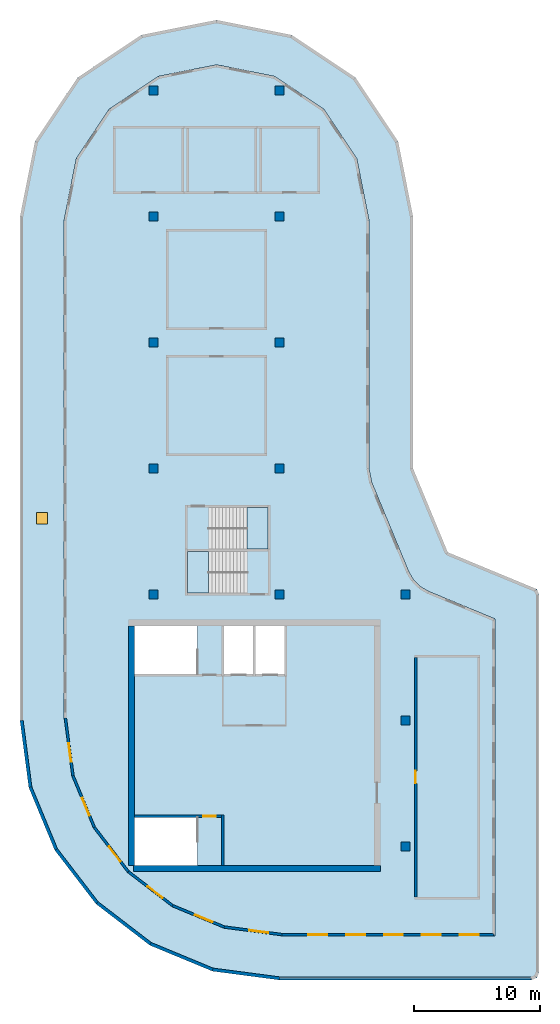
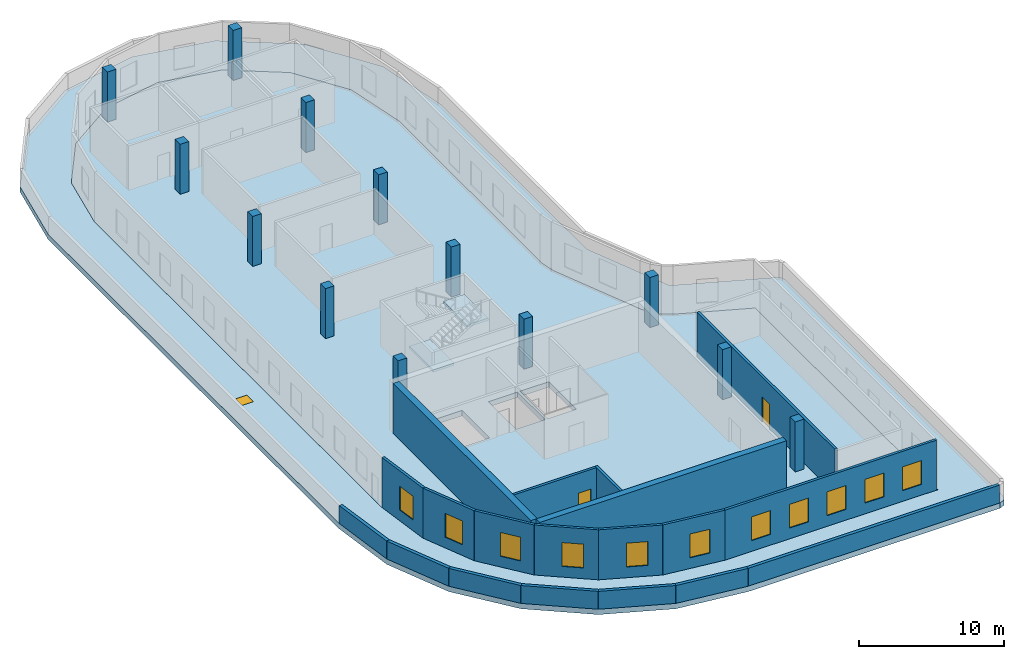
# One storey, part 1 of 6: 19 walls, 13 columns, 11 windows, 4 slabs, 3 doors, 14 openings, 2 elements without a shape of their own.
"""IFC4 building model written with IfcOpenShell, lengths in metres."""

import ifcopenshell
import ifcopenshell.guid

model = None  # the IFC model being written
_history = None  # IfcOwnerHistory: only IFC2X3 demands one
_inside = {}  # id of a spatial element -> (the spatial element, [elements in it])
_under = {}  # id of a project, library or spatial element -> (it, [spatial elements below it])
_declared = {}  # id of a project -> (the project, [libraries it declares])
_typed = {}  # id of a type object -> (the type object, [elements of that type])
_made_of = {}  # id of a material, layer set ... -> (it, [elements and type objects made of it])


def new_model(schema):
    """Start an empty IFC model of exactly this schema.

    Asked for "IFC4X3", IfcOpenShell would pick the latest addendum, in which some entities
    have other attributes; the version numbers below select the first issue.
    IFC2X3 requires an IfcOwnerHistory on every rooted entity: one is made here for all.
    """
    global model, _history
    if schema == "IFC4X3":
        model = ifcopenshell.file(schema_version=(4, 3, 0, 0))
    else:
        model = ifcopenshell.file(schema=schema)
    _inside.clear()
    _under.clear()
    _declared.clear()
    _typed.clear()
    _made_of.clear()
    _history = None
    if model.schema == "IFC2X3":
        org = make("IfcOrganization", Name="unknown")
        user = make(
            "IfcPersonAndOrganization",
            ThePerson=make("IfcPerson", FamilyName="unknown"),
            TheOrganization=org,
        )
        app = make(
            "IfcApplication",
            ApplicationDeveloper=org,
            Version="unknown",
            ApplicationFullName="unknown",
            ApplicationIdentifier="unknown",
        )
        _history = make(
            "IfcOwnerHistory",
            OwningUser=user,
            OwningApplication=app,
            ChangeAction="ADDED",
            CreationDate=0,
        )
    return model


def make(cls, **values):
    """One entity of the class cls with the attributes given. An attribute that is None is left unset."""
    return model.create_entity(
        cls, **{name: value for name, value in values.items() if value is not None}
    )


def rooted(cls, **values):
    """An entity with a GlobalId (a new one), such as an element, a storey or a relation."""
    return make(cls, GlobalId=ifcopenshell.guid.new(), OwnerHistory=_history, **values)


def si_unit(unit_type, name, prefix=None):
    """IfcSIUnit, for example si_unit("LENGTHUNIT", "METRE", prefix="MILLI")."""
    return make("IfcSIUnit", UnitType=unit_type, Prefix=prefix, Name=name)


def assignment(units):
    """IfcUnitAssignment: the units of a project."""
    return None if units is None else make("IfcUnitAssignment", Units=units)


def point(xyz):
    """IfcCartesianPoint."""
    return None if xyz is None else make("IfcCartesianPoint", Coordinates=xyz)


def direction(xyz):
    """IfcDirection."""
    return None if xyz is None else make("IfcDirection", DirectionRatios=xyz)


def frame(location, z_axis=None, x_axis=None):
    """IfcAxis2Placement3D, a coordinate frame: its origin and axes. An axis left out is left unset."""
    return make(
        "IfcAxis2Placement3D",
        Location=point(location),
        Axis=direction(z_axis),
        RefDirection=direction(x_axis),
    )


def frame_2d(location, x_axis=None):
    """IfcAxis2Placement2D, a coordinate frame in the plane: its origin and x axis."""
    return make(
        "IfcAxis2Placement2D", Location=point(location), RefDirection=direction(x_axis)
    )


def origin():
    """The frame at (0, 0, 0) with its axes left unset."""
    return frame((0.0, 0.0, 0.0))


def origin_2d():
    """The frame at (0, 0) in the plane with its x axis left unset."""
    return frame_2d((0.0, 0.0))


def place(relative_to, where):
    """IfcLocalPlacement: puts the frame where relative to a parent placement (None: the world)."""
    return make(
        "IfcLocalPlacement", PlacementRelTo=relative_to, RelativePlacement=where
    )


def context(
    kind, dimensions, precision=None, world=None, true_north=None, identifier=None
):
    """IfcGeometricRepresentationContext, for example the 3D "Model" context."""
    return make(
        "IfcGeometricRepresentationContext",
        ContextIdentifier=identifier,
        ContextType=kind,
        CoordinateSpaceDimension=dimensions,
        Precision=precision,
        WorldCoordinateSystem=world,
        TrueNorth=true_north,
    )


def subcontext(parent, identifier, kind, view, scale=None):
    """IfcGeometricRepresentationSubContext, for example "Body" below "Model"."""
    return make(
        "IfcGeometricRepresentationSubContext",
        ContextIdentifier=identifier,
        ContextType=kind,
        ParentContext=parent,
        TargetScale=scale,
        TargetView=view,
    )


def project(units=None, contexts=None):
    """IfcProject with its units and contexts."""
    return rooted(
        "IfcProject",
        Name="project",
        RepresentationContexts=contexts,
        UnitsInContext=assignment(units),
    )


def spatial(cls, under=None, at=None, **own):
    """A site, building, storey or space (cls), placed at a placement, below another one or the project."""
    s = rooted(cls, ObjectPlacement=at, **own)
    if under is not None:
        _under.setdefault(under.id(), (under, []))[1].append(s)
    return s


def polyline(points):
    """IfcPolyline through the points."""
    return make("IfcPolyline", Points=[point(p) for p in points])


def profile(cls, at=None, kind="AREA", **sizes):
    """A parametric profile (cls). Its sizes go by their IFC names, for example OverallWidth=200.0."""
    return make(cls, ProfileType=kind, Position=at, **sizes)


def rectangle(**sizes):
    """IfcRectangleProfileDef."""
    return profile("IfcRectangleProfileDef", **sizes)


def outline(outer, holes=None, kind="AREA"):
    """IfcArbitraryClosedProfileDef: a profile drawn as a closed curve; with holes, ...WithVoids."""
    if holes is None:
        return make("IfcArbitraryClosedProfileDef", ProfileType=kind, OuterCurve=outer)
    return make(
        "IfcArbitraryProfileDefWithVoids",
        ProfileType=kind,
        OuterCurve=outer,
        InnerCurves=holes,
    )


def extrude(swept, where, along, depth):
    """IfcExtrudedAreaSolid: the profile swept, set in the frame where, extruded along a direction by depth."""
    return make(
        "IfcExtrudedAreaSolid",
        SweptArea=swept,
        Position=where,
        ExtrudedDirection=direction(along),
        Depth=depth,
    )


def shape(context_of_items, identifier, shape_type, items):
    """IfcShapeRepresentation: the items that make up one representation, for example the "Body"."""
    return make(
        "IfcShapeRepresentation",
        ContextOfItems=context_of_items,
        RepresentationIdentifier=identifier,
        RepresentationType=shape_type,
        Items=items,
    )


def material(Name=None, Category=None):
    """IfcMaterial."""
    return make("IfcMaterial", Name=Name, Category=Category)


def layer(
    of_material, thickness, ventilated=None, Name=None, Category=None, Priority=None
):
    """IfcMaterialLayer: one layer of a wall or slab, of a material (None: an air gap)."""
    return make(
        "IfcMaterialLayer",
        Material=of_material,
        LayerThickness=thickness,
        IsVentilated=ventilated,
        Name=Name,
        Category=Category,
        Priority=Priority,
    )


def layer_set(layers, Name=None):
    """IfcMaterialLayerSet."""
    return make("IfcMaterialLayerSet", MaterialLayers=layers, LayerSetName=Name)


def material_profile(
    of_material, cross_section, Name=None, Category=None, Priority=None
):
    """IfcMaterialProfile: a cross section and its material."""
    return make(
        "IfcMaterialProfile",
        Name=Name,
        Material=of_material,
        Profile=cross_section,
        Priority=Priority,
        Category=Category,
    )


def profile_set(profiles, Name=None, composite=None):
    """IfcMaterialProfileSet."""
    return make(
        "IfcMaterialProfileSet",
        Name=Name,
        MaterialProfiles=profiles,
        CompositeProfile=composite,
    )


def made_of(thing, what):
    """Note that an element or type object is made of a material, layer set ...; save() writes the relation."""
    if what is not None:
        _made_of.setdefault(what.id(), (what, []))[1].append(thing)
    return thing


def type_object(cls, material=None, **own):
    """A type object (cls), such as IfcWallType, which elements share."""
    return made_of(rooted(cls, **own), material)


def element(
    cls,
    number,
    at=None,
    inside=None,
    cuts=None,
    type_object=None,
    material=None,
    context=None,
    identifier="Body",
    shape_type=None,
    held_by="IfcProductDefinitionShape",
    body=None,
    shapes=None,
    **own,
):
    """One element of the class cls, such as IfcWall. Its Tag is "e" and its number.

    at: its placement. inside: the storey or other place that contains it. cuts: it is an
    opening in that element (IfcRelVoidsElement). A single representation is given by context,
    identifier, shape_type and body (its items); several are given by shapes. held_by: the class
    of the entity that holds the representations. save() writes the other relations.
    """
    e = rooted(cls, Tag="e%d" % number, ObjectPlacement=at, **own)
    if body is not None:
        shapes = [shape(context, identifier, shape_type, body)]
    if shapes is not None:
        e.Representation = make(held_by, Representations=shapes)
    if inside is not None:
        _inside.setdefault(inside.id(), (inside, []))[1].append(e)
    if cuts is not None:
        rooted(
            "IfcRelVoidsElement", RelatingBuildingElement=cuts, RelatedOpeningElement=e
        )
    if type_object is not None:
        _typed.setdefault(type_object.id(), (type_object, []))[1].append(e)
    return made_of(e, material)


def fill(opening, filler):
    """IfcRelFillsElement: the door or window that sits in an opening."""
    return rooted(
        "IfcRelFillsElement",
        RelatingOpeningElement=opening,
        RelatedBuildingElement=filler,
    )


def aggregate(whole, parts):
    """IfcRelAggregates: a whole, such as a stair, and the parts it consists of."""
    return rooted("IfcRelAggregates", RelatingObject=whole, RelatedObjects=parts)


def save(model, path):
    """Write the relations noted so far, then the file.

    IfcRelAggregates (storeys below a building ...), IfcRelContainedInSpatialStructure (elements
    in a storey), IfcRelDefinesByType, IfcRelAssociatesMaterial and IfcRelDeclares: one each for
    every whole, place, type object, material and project.
    """
    for whole, parts in _under.values():
        aggregate(whole, parts)
    for where, things in _inside.values():
        rooted(
            "IfcRelContainedInSpatialStructure",
            RelatedElements=things,
            RelatingStructure=where,
        )
    for kind, things in _typed.values():
        rooted("IfcRelDefinesByType", RelatedObjects=things, RelatingType=kind)
    for what, things in _made_of.values():
        rooted("IfcRelAssociatesMaterial", RelatedObjects=things, RelatingMaterial=what)
    for by, libraries in _declared.values():
        rooted("IfcRelDeclares", RelatingContext=by, RelatedDefinitions=libraries)
    model.write(path)


model = new_model("IFC4")

# Units and contexts
model_context = context("Model", 3, precision=1e-05, world=origin(), true_north=direction((0.0, 1.0)))
body_context = subcontext(model_context, "Body", "Model", "MODEL_VIEW")
ifc_project = project(units=[si_unit("LENGTHUNIT", "METRE"), si_unit("AREAUNIT", "SQUARE_METRE"), si_unit("VOLUMEUNIT", "CUBIC_METRE"), si_unit("PLANEANGLEUNIT", "RADIAN"), si_unit("MASSUNIT", "GRAM", prefix="KILO")], contexts=[model_context])

# Site, building, storey
site_placement = place(None, origin())
site = spatial("IfcSite", under=ifc_project, at=site_placement, CompositionType="ELEMENT")
building_placement = place(site_placement, origin())
building = spatial("IfcBuilding", under=site, at=building_placement, Name="Qaws Garden Tower", CompositionType="ELEMENT")
storey_placement = place(building_placement, frame((0.0, 0.0, 365.39990234375)))
storey = spatial("IfcBuildingStorey", under=building, at=storey_placement, Name="C1", CompositionType="ELEMENT", Elevation=365.39990234375)

# Columns
ifc_material_1 = material(Name="Concrete C60", Category="concrete")
ifc_material_profile = material_profile(ifc_material_1, rectangle(XDim=0.699951171875, YDim=0.699951171875, at=origin_2d()), Name="RC 700x700")
ifc_profile_set = profile_set([ifc_material_profile], Name="Concrete C60")
column_type = type_object("IfcColumnType", Name="Column RC 700x700 C60", PredefinedType="COLUMN", material=ifc_profile_set)
for number, where, z_axis, x_axis, name in (
    (1, (10.0, 30.0, 0.0), (0.0, 0.0, 1.0), (1.0, 0.0, 0.0), "Column C1-001"),
    (2, (10.0, 40.0, 0.0), (0.0, 0.0, 1.0), (1.0, 0.0, 0.0), "Column C1-002"),
    (3, (10.0, 50.0, 0.0), (0.0, 0.0, 1.0), (1.0, 0.0, 0.0), "Column C1-003"),
    (4, (10.0, 60.0, 0.0), (0.0, 0.0, 1.0), (1.0, 0.0, 0.0), "Column C1-004"),
    (5, (10.0, 70.0, 0.0), (0.0, 0.0, 1.0), (1.0, 0.0, 0.0), "Column C1-005"),
    (6, (20.0, 30.0, 0.0), (0.0, 0.0, 1.0), (1.0, 0.0, 0.0), "Column C1-006"),
    (7, (20.0, 40.0, 0.0), (0.0, 0.0, 1.0), (1.0, 0.0, 0.0), "Column C1-007"),
    (8, (20.0, 50.0, 0.0), (0.0, 0.0, 1.0), (1.0, 0.0, 0.0), "Column C1-008"),
    (9, (20.0, 60.0, 0.0), (0.0, 0.0, 1.0), (1.0, 0.0, 0.0), "Column C1-009"),
    (10, (20.0, 70.0, 0.0), (0.0, 0.0, 1.0), (1.0, 0.0, 0.0), "Column C1-010"),
    (11, (30.0, 10.0, 0.0), (0.0, 0.0, 1.0), (1.0, 0.0, 0.0), "Column C1-011"),
    (12, (30.0, 20.0, 0.0), (0.0, 0.0, 1.0), (1.0, 0.0, 0.0), "Column C1-012"),
    (13, (30.0, 30.0, 0.0), (0.0, 0.0, 1.0), (1.0, 0.0, 0.0), "Column C1-013"),
):
    element("IfcColumn", number, at=place(storey_placement, frame(where, z_axis=z_axis, x_axis=x_axis)), inside=storey, type_object=column_type, Name=name, PredefinedType="COLUMN", context=body_context, shape_type="SweptSolid", body=[
        extrude(rectangle(XDim=0.699951171875, YDim=0.699951171875, at=origin_2d()), origin(), (0.0, 0.0, 1.0), 4.2001953125),
    ])

# Slab
ifc_material_2 = material(Name="Concrete C45", Category="concrete")
ifc_layer_1 = layer(ifc_material_2, 0.449951171875)
ifc_layer_set_1 = layer_set([ifc_layer_1], Name="Concrete C45")
slab_type_1 = type_object("IfcSlabType", Name="Floor slab 450 C45", PredefinedType="FLOOR", material=ifc_layer_set_1)
placement_1 = place(storey_placement, frame((0.0, 0.0, -0.449951171875)))
element("IfcSlab", 14, at=placement_1, inside=storey, type_object=slab_type_1, Name="Floor slab C1", PredefinedType="FLOOR", context=body_context, shape_type="SweptSolid", body=[
    extrude(outline(polyline([(15.580810546875, 3.5068359375), (11.46240234375, 5.212646484375), (7.92626953125, 7.92626953125), (5.212646484375, 11.46240234375), (3.5068359375, 15.580810546875), (2.89990234375, 20.190185546875), (2.89990234375, 59.71435546875), (3.87353515625, 64.608642578125), (6.484130859375, 68.515869140625), (10.391357421875, 71.12646484375), (15.0, 72.043212890625), (19.608642578125, 71.12646484375), (23.515869140625, 68.515869140625), (26.12646484375, 64.608642578125), (27.10009765625, 59.71435546875), (27.10009765625, 40.0), (27.32080078125, 38.89013671875), (30.249755859375, 31.819091796875), (30.628173828125, 31.16357421875), (31.16357421875, 30.628173828125), (31.819091796875, 30.249755859375), (37.10009765625, 28.062255859375), (37.10009765625, 2.89990234375), (20.190185546875, 2.89990234375), (15.580810546875, 3.5068359375)]), holes=[polyline([(8.5, 8.5), (13.49951171875, 8.5), (13.49951171875, 12.300048828125), (8.5, 12.300048828125), (8.5, 8.5)]), polyline([(8.5, 23.699951171875), (13.49951171875, 23.699951171875), (13.49951171875, 27.5), (8.5, 27.5), (8.5, 23.699951171875)]), polyline([(15.60009765625, 23.699951171875), (17.89990234375, 23.699951171875), (17.89990234375, 27.5), (15.60009765625, 27.5), (15.60009765625, 23.699951171875)]), polyline([(18.10009765625, 23.699951171875), (20.39990234375, 23.699951171875), (20.39990234375, 27.5), (18.10009765625, 27.5), (18.10009765625, 23.699951171875)])]), origin(), (0.0, 0.0, 1.0), 0.449951171875),
])

# Stair, slab
ifc_material_3 = material(Name="Concrete C40", Category="concrete")
stair_type = type_object("IfcStairType", Name="Exit stair 1350", PredefinedType="HALF_TURN_STAIR", material=ifc_material_3)
placement_2 = place(storey_placement, origin())
stair_1 = element("IfcStair", 15, at=placement_2, inside=storey, type_object=stair_type, Name="Stair 1", PredefinedType="HALF_TURN_STAIR")
ifc_material_4 = material(Name="Concrete C40", Category="concrete")
ifc_layer_2 = layer(ifc_material_4, 0.199951171875)
ifc_layer_set_2 = layer_set([ifc_layer_2], Name="Concrete C40")
slab_type_2 = type_object("IfcSlabType", Name="Stair landing 200", PredefinedType="LANDING", material=ifc_layer_set_2)
placement_3 = place(storey_placement, frame((0.0, 0.0, 1.900146484375)))
slab_2 = element("IfcSlab", 16, at=placement_3, type_object=slab_type_2, Name="CS1 landing 1", PredefinedType="LANDING", context=body_context, shape_type="SweptSolid", body=[
    extrude(outline(polyline([(12.699951171875, 30.10009765625), (14.3701171875, 30.10009765625), (14.3701171875, 33.39990234375), (12.699951171875, 33.39990234375), (12.699951171875, 30.10009765625)])), origin(), (0.0, 0.0, 1.0), 0.199951171875),
])
aggregate(stair_1, [slab_2])

stair_2 = element("IfcStair", 17, at=placement_2, inside=storey, type_object=stair_type, Name="Stair 2", PredefinedType="HALF_TURN_STAIR")
slab_3 = element("IfcSlab", 18, at=placement_3, type_object=slab_type_2, Name="CS2 landing 1", PredefinedType="LANDING", context=body_context, shape_type="SweptSolid", body=[
    extrude(outline(polyline([(17.429931640625, 33.60009765625), (19.10009765625, 33.60009765625), (19.10009765625, 36.89990234375), (17.429931640625, 36.89990234375), (17.429931640625, 33.60009765625)])), origin(), (0.0, 0.0, 1.0), 0.199951171875),
])
aggregate(stair_2, [slab_3])

# Slab, opening, door
ifc_material_5 = material(Name="Concrete C45", Category="concrete")
ifc_layer_3 = layer(ifc_material_5, 0.449951171875)
ifc_layer_set_3 = layer_set([ifc_layer_3], Name="Concrete C45")
slab_type_3 = type_object("IfcSlabType", Name="Terrace slab 450 C45", PredefinedType="FLOOR", material=ifc_layer_set_3)
slab_4 = element("IfcSlab", 19, at=placement_1, inside=storey, type_object=slab_type_3, Name="Terrace slab C1", PredefinedType="FLOOR", context=body_context, shape_type="SweptSolid", body=[
    extrude(outline(polyline([(0.101806640625, 14.668212890625), (-0.60009765625, 20.0), (-0.60009765625, 30.60009765625), (-0.60009765625, 60.0), (-0.60009765625, 60.0), (0.58740234375, 65.969970703125), (3.968994140625, 71.031005859375), (9.030029296875, 74.41259765625), (15.0, 75.60009765625), (20.969970703125, 74.41259765625), (26.031005859375, 71.031005859375), (29.41259765625, 65.969970703125), (30.60009765625, 60.0), (30.60009765625, 40.0), (33.353271484375, 33.353271484375), (40.0, 30.60009765625), (40.42431640625, 30.42431640625), (40.60009765625, 30.0), (40.60009765625, 0.0), (40.42431640625, -0.42431640625), (40.0, -0.60009765625), (30.60009765625, -0.60009765625), (20.0, -0.60009765625), (14.668212890625, 0.101806640625), (9.699951171875, 2.159912109375), (5.43359375, 5.43359375), (2.159912109375, 9.699951171875), (0.101806640625, 14.668212890625)]), holes=[polyline([(37.10009765625, 2.89990234375), (37.10009765625, 28.062255859375), (31.819091796875, 30.249755859375), (31.16357421875, 30.628173828125), (30.628173828125, 31.16357421875), (30.249755859375, 31.819091796875), (27.32080078125, 38.89013671875), (27.10009765625, 40.0), (27.10009765625, 59.71435546875), (26.12646484375, 64.608642578125), (23.515869140625, 68.515869140625), (19.608642578125, 71.12646484375), (15.0, 72.043212890625), (10.391357421875, 71.12646484375), (6.484130859375, 68.515869140625), (3.87353515625, 64.608642578125), (2.89990234375, 59.71435546875), (2.89990234375, 20.190185546875), (3.5068359375, 15.580810546875), (5.212646484375, 11.46240234375), (7.92626953125, 7.92626953125), (11.46240234375, 5.212646484375), (15.580810546875, 3.5068359375), (20.190185546875, 2.89990234375), (37.10009765625, 2.89990234375)])]), origin(), (0.0, 0.0, 1.0), 0.449951171875),
])
opening_1_placement = place(placement_1, frame((1.14990234375, 36.052978515625, 0.0)))
opening_1 = element("IfcOpeningElement", 20, at=opening_1_placement, cuts=slab_4, Name="Opening PD10-01", PredefinedType="OPENING", context=body_context, shape_type="SweptSolid", body=[
    extrude(rectangle(XDim=0.89990234375, YDim=0.89990234375, at=origin_2d()), origin(), (0.0, 0.0, 1.0), 0.449951171875),
])
ifc_material_6 = material(Name="Aluminium hatch", Category="aluminium")
door_type_1 = type_object("IfcDoorType", Name="Roof hatch 900 x 900", OperationType="SINGLE_SWING_LEFT", PredefinedType="TRAPDOOR", material=ifc_material_6)
door_1_placement = place(opening_1_placement, frame((0.0, 0.0, 0.39990234375)))
door_1 = element("IfcDoor", 21, at=door_1_placement, inside=storey, type_object=door_type_1, Name="Maintenance terrace hatch", OperationType="SINGLE_SWING_LEFT", OverallHeight=0.89990234375, OverallWidth=0.89990234375, PredefinedType="TRAPDOOR", context=body_context, shape_type="SweptSolid", body=[
    extrude(rectangle(XDim=0.89990234375, YDim=0.89990234375, at=origin_2d()), origin(), (0.0, 0.0, 1.0), 0.050048828125),
])
fill(opening_1, door_1)

# Wall
ifc_material_7 = material(Name="Concrete C60", Category="concrete")
ifc_layer_4 = layer(ifc_material_7, 0.199951171875)
ifc_layer_set_4 = layer_set([ifc_layer_4], Name="Concrete C60")
wall_type_1 = type_object("IfcWallType", Name="Core shaft wall 200 C60", PredefinedType="SHEAR", material=ifc_layer_set_4)
wall_1_placement = place(storey_placement, frame((15.5, 8.5, 0.0), z_axis=(0.0, 0.0, 1.0), x_axis=(0.0, 1.0, 0.0)))
element("IfcWall", 22, at=wall_1_placement, inside=storey, type_object=wall_type_1, Name="Stair 1 wall", PredefinedType="SHEAR", context=body_context, shape_type="SweptSolid", body=[
    extrude(rectangle(XDim=4.0, YDim=0.199951171875, at=frame_2d((2.0, 0.0))), origin(), (0.0, 0.0, 1.0), 3.75),
])

# Wall, opening, door
wall_2_placement = place(storey_placement, frame((8.5, 12.39990234375, 0.0), z_axis=(0.0, 0.0, 1.0), x_axis=(1.0, 0.0, 0.0)))
wall_2 = element("IfcWall", 23, at=wall_2_placement, inside=storey, type_object=wall_type_1, Name="Stair 1 wall", PredefinedType="SHEAR", context=body_context, shape_type="SweptSolid", body=[
    extrude(rectangle(XDim=6.89990234375, YDim=0.199951171875, at=frame_2d((3.449951171875, 0.0))), origin(), (0.0, 0.0, 1.0), 3.75),
])
opening_2_placement = place(wall_2_placement, frame((5.449951171875, 0.0, 0.0)))
opening_2 = element("IfcOpeningElement", 24, at=opening_2_placement, cuts=wall_2, Name="Opening C1015", PredefinedType="OPENING", context=body_context, shape_type="SweptSolid", body=[
    extrude(rectangle(XDim=1.0, YDim=2.10009765625, at=frame_2d((0.5, 1.050048828125))), frame((0.0, 0.10986328125, 0.0), z_axis=(0.0, -1.0, 0.0), x_axis=(1.0, 0.0, 0.0)), (0.0, 0.0, 1.0), 0.219970703125),
])
ifc_material_8 = material(Name="Steel S235", Category="steel")
door_type_2 = type_object("IfcDoorType", Name="Stair door 1000x2100", OperationType="SINGLE_SWING_RIGHT", PredefinedType="DOOR", material=ifc_material_8)
door_2_placement = place(opening_2_placement, frame((1.0, 0.0, 0.0), z_axis=(0.0, 0.0, 1.0), x_axis=(-1.0, 0.0, 0.0)))
door_2 = element("IfcDoor", 25, at=door_2_placement, inside=storey, type_object=door_type_2, Name="Stair 1 door", OperationType="SINGLE_SWING_LEFT", OverallHeight=2.10009765625, OverallWidth=1.0, PredefinedType="DOOR", context=body_context, shape_type="SweptSolid", body=[
    extrude(rectangle(XDim=1.0, YDim=2.10009765625, at=frame_2d((0.5, 1.050048828125))), frame((0.0, 0.02490234375, 0.0), z_axis=(0.0, -1.0, 0.0), x_axis=(1.0, 0.0, 0.0)), (0.0, 0.0, 1.0), 0.050048828125),
])
fill(opening_2, door_2)

# Walls
ifc_material_9 = material(Name="Concrete C60", Category="concrete")
ifc_layer_5 = layer(ifc_material_9, 0.5)
ifc_layer_set_5 = layer_set([ifc_layer_5], Name="Concrete C60")
wall_type_2 = type_object("IfcWallType", Name="Core wall 500 C60", PredefinedType="SHEAR", material=ifc_layer_set_5)
wall_3_placement = place(storey_placement, frame((8.40771484375, 8.25, 0.0), z_axis=(0.0, 0.0, 1.0), x_axis=(1.0, 0.0, 0.0)))
element("IfcWall", 26, at=wall_3_placement, inside=storey, type_object=wall_type_2, Name="Core wall C1 south", PredefinedType="SHEAR", context=body_context, shape_type="SweptSolid", body=[
    extrude(rectangle(XDim=19.59228515625, YDim=0.5, at=frame_2d((9.796142578125, 0.0))), origin(), (0.0, 0.0, 1.0), 4.2001953125),
])
wall_4_placement = place(storey_placement, frame((8.25, 27.5, 0.0), z_axis=(0.0, 0.0, 1.0), x_axis=(0.0, -1.0, 0.0)))
element("IfcWall", 27, at=wall_4_placement, inside=storey, type_object=wall_type_2, Name="Core wall C1 west", PredefinedType="SHEAR", context=body_context, shape_type="SweptSolid", body=[
    extrude(rectangle(XDim=19.0, YDim=0.5, at=frame_2d((9.5, 0.0))), origin(), (0.0, 0.0, 1.0), 4.2001953125),
])
ifc_material_10 = material(Name="Brick masonry", Category="masonry")
ifc_layer_6 = layer(ifc_material_10, 0.25)
ifc_layer_set_6 = layer_set([ifc_layer_6], Name="Brick masonry")
wall_type_3 = type_object("IfcWallType", Name="Parapet 250", PredefinedType="PARAPET", material=ifc_layer_set_6)
wall_5_placement = place(storey_placement, frame((39.97509765625, -0.47509765625, 0.0), z_axis=(0.0, 0.0, 1.0), x_axis=(-1.0, 0.0, 0.0)))
element("IfcWall", 28, at=wall_5_placement, inside=storey, type_object=wall_type_3, Name="Maintenance terrace parapet C1", PredefinedType="PARAPET", context=body_context, shape_type="SweptSolid", body=[
    extrude(rectangle(XDim=19.966796875, YDim=0.25, at=frame_2d((9.9833984375, 0.0))), origin(), (0.0, 0.0, 1.0), 1.5),
])
wall_6_placement = place(storey_placement, frame((20.00830078125, -0.47509765625, 0.0), z_axis=(0.0, 0.0, 1.0), x_axis=(-0.991444823867, 0.130526477111, 0.0)))
element("IfcWall", 29, at=wall_6_placement, inside=storey, type_object=wall_type_3, Name="Maintenance terrace parapet C1", PredefinedType="PARAPET", context=body_context, shape_type="SweptSolid", body=[
    extrude(rectangle(XDim=5.353271484375, YDim=0.25, at=frame_2d((2.6767578125, 0.0))), origin(), (0.0, 0.0, 1.0), 1.5),
])
wall_7_placement = place(storey_placement, frame((14.700927734375, 0.2236328125, 0.0), z_axis=(0.0, 0.0, 1.0), x_axis=(-0.923877651285, 0.382687974017, 0.0)))
element("IfcWall", 30, at=wall_7_placement, inside=storey, type_object=wall_type_3, Name="Maintenance terrace parapet C1", PredefinedType="PARAPET", context=body_context, shape_type="SweptSolid", body=[
    extrude(rectangle(XDim=5.344970703125, YDim=0.25, at=frame_2d((2.67236328125, 0.0))), origin(), (0.0, 0.0, 1.0), 1.5),
])
for number, where, z_axis, x_axis, name in (
    (31, (9.762939453125, 2.26904296875, 0.0), (0.0, 0.0, 1.0), (-0.793351909115, 0.608763294149, 0.0), "Maintenance terrace parapet C1"),
    (32, (5.522705078125, 5.522705078125, 0.0), (0.0, 0.0, 1.0), (-0.608763294149, 0.793351909115, 0.0), "Maintenance terrace parapet C1"),
):
    element("IfcWall", number, at=place(storey_placement, frame(where, z_axis=z_axis, x_axis=x_axis)), inside=storey, type_object=wall_type_3, Name=name, PredefinedType="PARAPET", context=body_context, shape_type="SweptSolid", body=[
        extrude(rectangle(XDim=5.3447265625, YDim=0.25, at=frame_2d((2.67236328125, 0.0))), origin(), (0.0, 0.0, 1.0), 1.5),
    ])
wall_8_placement = place(storey_placement, frame((2.26904296875, 9.762939453125, 0.0), z_axis=(0.0, 0.0, 1.0), x_axis=(-0.382687974017, 0.923877651285, 0.0)))
element("IfcWall", 33, at=wall_8_placement, inside=storey, type_object=wall_type_3, Name="Maintenance terrace parapet C1", PredefinedType="PARAPET", context=body_context, shape_type="SweptSolid", body=[
    extrude(rectangle(XDim=5.344970703125, YDim=0.25, at=frame_2d((2.67236328125, 0.0))), origin(), (0.0, 0.0, 1.0), 1.5),
])
wall_9_placement = place(storey_placement, frame((0.2236328125, 14.700927734375, 0.0), z_axis=(0.0, 0.0, 1.0), x_axis=(-0.130526477111, 0.991444823867, 0.0)))
element("IfcWall", 34, at=wall_9_placement, inside=storey, type_object=wall_type_3, Name="Maintenance terrace parapet C1", PredefinedType="PARAPET", context=body_context, shape_type="SweptSolid", body=[
    extrude(rectangle(XDim=5.353271484375, YDim=0.25, at=frame_2d((2.6767578125, 0.0))), origin(), (0.0, 0.0, 1.0), 1.5),
])

# Wall, opening, door
ifc_material_11 = material(Name="Blockwork", Category="masonry")
ifc_layer_7 = layer(ifc_material_11, 0.199951171875)
ifc_layer_set_7 = layer_set([ifc_layer_7], Name="Blockwork")
wall_type_4 = type_object("IfcWallType", Name="Plant room wall 200", PredefinedType="PARTITIONING", material=ifc_layer_set_7)
wall_10_placement = place(storey_placement, frame((30.800048828125, 6.0, 0.0), z_axis=(0.0, 0.0, 1.0), x_axis=(0.0, 1.0, 0.0)))
wall_10 = element("IfcWall", 35, at=wall_10_placement, inside=storey, type_object=wall_type_4, Name="Boiler plant room wall", PredefinedType="PARTITIONING", context=body_context, shape_type="SweptSolid", body=[
    extrude(rectangle(XDim=19.0, YDim=0.199951171875, at=frame_2d((9.5, 0.0))), origin(), (0.0, 0.0, 1.0), 3.75),
])
opening_3_placement = place(wall_10_placement, frame((9.0, 0.0, 0.0)))
opening_3 = element("IfcOpeningElement", 36, at=opening_3_placement, cuts=wall_10, Name="Opening PD12-06", PredefinedType="OPENING", context=body_context, shape_type="SweptSolid", body=[
    extrude(rectangle(XDim=1.0, YDim=2.10009765625, at=frame_2d((0.5, 1.050048828125))), frame((0.0, 0.10986328125, 0.0), z_axis=(0.0, -1.0, 0.0), x_axis=(1.0, 0.0, 0.0)), (0.0, 0.0, 1.0), 0.219970703125),
])
ifc_material_12 = material(Name="Steel S235 framed door leaf", Category="steel")
door_type_3 = type_object("IfcDoorType", Name="Door D12 fire single 1000", OperationType="SINGLE_SWING_LEFT", PredefinedType="DOOR", material=ifc_material_12)
door_3_placement = place(opening_3_placement, frame((1.0, 0.0, 0.0), z_axis=(0.0, 0.0, 1.0), x_axis=(-1.0, 0.0, 0.0)))
door_3 = element("IfcDoor", 37, at=door_3_placement, inside=storey, type_object=door_type_3, Name="Boiler plant room door", OperationType="SINGLE_SWING_LEFT", OverallHeight=2.10009765625, OverallWidth=1.0, PredefinedType="DOOR", context=body_context, shape_type="SweptSolid", body=[
    extrude(rectangle(XDim=1.0, YDim=2.10009765625, at=frame_2d((0.5, 1.050048828125))), frame((0.0, 0.02490234375, 0.0), z_axis=(0.0, -1.0, 0.0), x_axis=(1.0, 0.0, 0.0)), (0.0, 0.0, 1.0), 0.050048828125),
])
fill(opening_3, door_3)

# Wall, opening, window
ifc_material_13 = material(Name="Brick masonry", Category="masonry")
ifc_layer_8 = layer(ifc_material_13, 0.199951171875)
ifc_layer_set_8 = layer_set([ifc_layer_8], Name="Brick masonry")
wall_type_5 = type_object("IfcWallType", Name="Plant screen louvre 200", PredefinedType="STANDARD", material=ifc_layer_set_8)
wall_11_placement = place(storey_placement, frame((20.196533203125, 3.0, 0.0), z_axis=(0.0, 0.0, 1.0), x_axis=(-0.991445318306, 0.130522721426, 0.0)))
wall_11 = element("IfcWall", 38, at=wall_11_placement, inside=storey, type_object=wall_type_5, Name="Plant screen wall C1 1", PredefinedType="STANDARD", context=body_context, shape_type="SweptSolid", body=[
    extrude(rectangle(XDim=4.62939453125, YDim=0.199951171875, at=frame_2d((2.314697265625, 0.0))), origin(), (0.0, 0.0, 1.0), 4.2001953125),
])
opening_4_placement = place(wall_11_placement, frame((1.11474609375, 0.0, 0.89990234375)))
opening_4 = element("IfcOpeningElement", 39, at=opening_4_placement, cuts=wall_11, Name="Opening PW-S4", PredefinedType="OPENING", context=body_context, shape_type="SweptSolid", body=[
    extrude(rectangle(XDim=1.5, YDim=2.0, at=frame_2d((0.75, 1.0))), frame((0.0, 0.10986328125, 0.0), z_axis=(0.0, -1.0, 0.0), x_axis=(1.0, 0.0, 0.0)), (0.0, 0.0, 1.0), 0.219970703125),
])
ifc_material_14 = material(Name="Aluminium louvre", Category="aluminium")
window_type = type_object("IfcWindowType", Name="Plant louvre 1500", PartitioningType="SINGLE_PANEL", PredefinedType="WINDOW", material=ifc_material_14)
window_1_placement = place(opening_4_placement, origin())
window_1 = element("IfcWindow", 40, at=window_1_placement, inside=storey, type_object=window_type, Name="Plant louvre", OverallHeight=2.0, OverallWidth=1.5, PartitioningType="SINGLE_PANEL", PredefinedType="WINDOW", context=body_context, shape_type="SweptSolid", body=[
    extrude(rectangle(XDim=1.5, YDim=2.0, at=frame_2d((0.75, 1.0))), frame((0.0, 0.030029296875, 0.0), z_axis=(0.0, -1.0, 0.0), x_axis=(1.0, 0.0, 0.0)), (0.0, 0.0, 1.0), 0.06005859375),
])
fill(opening_4, window_1)

wall_12_placement = place(storey_placement, frame((15.606689453125, 3.604248046875, 0.0), z_axis=(0.0, 0.0, 1.0), x_axis=(-0.923870435447, 0.382705393882, 0.0)))
wall_12 = element("IfcWall", 41, at=wall_12_placement, inside=storey, type_object=wall_type_5, Name="Plant screen wall C1 2", PredefinedType="STANDARD", context=body_context, shape_type="SweptSolid", body=[
    extrude(rectangle(XDim=4.43115234375, YDim=0.199951171875, at=frame_2d((2.215576171875, 0.0))), origin(), (0.0, 0.0, 1.0), 4.2001953125),
])
opening_5_placement = place(wall_12_placement, frame((1.015625, 0.0, 0.89990234375)))
opening_5 = element("IfcOpeningElement", 42, at=opening_5_placement, cuts=wall_12, Name="Opening PW-S4", PredefinedType="OPENING", context=body_context, shape_type="SweptSolid", body=[
    extrude(rectangle(XDim=1.5, YDim=2.0, at=frame_2d((0.75, 1.0))), frame((0.0, 0.10986328125, 0.0), z_axis=(0.0, -1.0, 0.0), x_axis=(1.0, 0.0, 0.0)), (0.0, 0.0, 1.0), 0.219970703125),
])
window_2_placement = place(opening_5_placement, origin())
window_2 = element("IfcWindow", 43, at=window_2_placement, inside=storey, type_object=window_type, Name="Plant louvre", OverallHeight=2.0, OverallWidth=1.5, PartitioningType="SINGLE_PANEL", PredefinedType="WINDOW", context=body_context, shape_type="SweptSolid", body=[
    extrude(rectangle(XDim=1.5, YDim=2.0, at=frame_2d((0.75, 1.0))), frame((0.0, 0.030029296875, 0.0), z_axis=(0.0, -1.0, 0.0), x_axis=(1.0, 0.0, 0.0)), (0.0, 0.0, 1.0), 0.06005859375),
])
fill(opening_5, window_2)

wall_13_placement = place(storey_placement, frame((11.512939453125, 5.300048828125, 0.0), z_axis=(0.0, 0.0, 1.0), x_axis=(-0.79334645624, 0.608770400374, 0.0)))
wall_13 = element("IfcWall", 44, at=wall_13_placement, inside=storey, type_object=wall_type_5, Name="Plant screen wall C1 3", PredefinedType="STANDARD", context=body_context, shape_type="SweptSolid", body=[
    extrude(rectangle(XDim=4.43115234375, YDim=0.199951171875, at=frame_2d((2.215576171875, 0.0))), origin(), (0.0, 0.0, 1.0), 4.2001953125),
])
opening_6_placement = place(wall_13_placement, frame((1.015625, 0.0, 0.89990234375)))
opening_6 = element("IfcOpeningElement", 45, at=opening_6_placement, cuts=wall_13, Name="Opening PW-S4", PredefinedType="OPENING", context=body_context, shape_type="SweptSolid", body=[
    extrude(rectangle(XDim=1.5, YDim=2.0, at=frame_2d((0.75, 1.0))), frame((0.0, 0.10986328125, 0.0), z_axis=(0.0, -1.0, 0.0), x_axis=(1.0, 0.0, 0.0)), (0.0, 0.0, 1.0), 0.219970703125),
])
window_3_placement = place(opening_6_placement, origin())
window_3 = element("IfcWindow", 46, at=window_3_placement, inside=storey, type_object=window_type, Name="Plant louvre", OverallHeight=2.0, OverallWidth=1.5, PartitioningType="SINGLE_PANEL", PredefinedType="WINDOW", context=body_context, shape_type="SweptSolid", body=[
    extrude(rectangle(XDim=1.5, YDim=2.0, at=frame_2d((0.75, 1.0))), frame((0.0, 0.030029296875, 0.0), z_axis=(0.0, -1.0, 0.0), x_axis=(1.0, 0.0, 0.0)), (0.0, 0.0, 1.0), 0.06005859375),
])
fill(opening_6, window_3)

wall_14_placement = place(storey_placement, frame((7.99755859375, 7.99755859375, 0.0), z_axis=(0.0, 0.0, 1.0), x_axis=(-0.608770400374, 0.79334645624, 0.0)))
wall_14 = element("IfcWall", 47, at=wall_14_placement, inside=storey, type_object=wall_type_5, Name="Plant screen wall C1 4", PredefinedType="STANDARD", context=body_context, shape_type="SweptSolid", body=[
    extrude(rectangle(XDim=4.43115234375, YDim=0.199951171875, at=frame_2d((2.215576171875, 0.0))), origin(), (0.0, 0.0, 1.0), 4.2001953125),
])
opening_7_placement = place(wall_14_placement, frame((1.015625, 0.0, 0.89990234375)))
opening_7 = element("IfcOpeningElement", 48, at=opening_7_placement, cuts=wall_14, Name="Opening PW-S4", PredefinedType="OPENING", context=body_context, shape_type="SweptSolid", body=[
    extrude(rectangle(XDim=1.5, YDim=2.0, at=frame_2d((0.75, 1.0))), frame((0.0, 0.10986328125, 0.0), z_axis=(0.0, -1.0, 0.0), x_axis=(1.0, 0.0, 0.0)), (0.0, 0.0, 1.0), 0.219970703125),
])
window_4_placement = place(opening_7_placement, origin())
window_4 = element("IfcWindow", 49, at=window_4_placement, inside=storey, type_object=window_type, Name="Plant louvre", OverallHeight=2.0, OverallWidth=1.5, PartitioningType="SINGLE_PANEL", PredefinedType="WINDOW", context=body_context, shape_type="SweptSolid", body=[
    extrude(rectangle(XDim=1.5, YDim=2.0, at=frame_2d((0.75, 1.0))), frame((0.0, 0.030029296875, 0.0), z_axis=(0.0, -1.0, 0.0), x_axis=(1.0, 0.0, 0.0)), (0.0, 0.0, 1.0), 0.06005859375),
])
fill(opening_7, window_4)

wall_15_placement = place(storey_placement, frame((5.300048828125, 11.512939453125, 0.0), z_axis=(0.0, 0.0, 1.0), x_axis=(-0.382705393882, 0.923870435447, 0.0)))
wall_15 = element("IfcWall", 50, at=wall_15_placement, inside=storey, type_object=wall_type_5, Name="Plant screen wall C1 5", PredefinedType="STANDARD", context=body_context, shape_type="SweptSolid", body=[
    extrude(rectangle(XDim=4.43115234375, YDim=0.199951171875, at=frame_2d((2.215576171875, 0.0))), origin(), (0.0, 0.0, 1.0), 4.2001953125),
])
opening_8_placement = place(wall_15_placement, frame((1.015625, 0.0, 0.89990234375)))
opening_8 = element("IfcOpeningElement", 51, at=opening_8_placement, cuts=wall_15, Name="Opening PW-S4", PredefinedType="OPENING", context=body_context, shape_type="SweptSolid", body=[
    extrude(rectangle(XDim=1.5, YDim=2.0, at=frame_2d((0.75, 1.0))), frame((0.0, 0.10986328125, 0.0), z_axis=(0.0, -1.0, 0.0), x_axis=(1.0, 0.0, 0.0)), (0.0, 0.0, 1.0), 0.219970703125),
])
window_5_placement = place(opening_8_placement, origin())
window_5 = element("IfcWindow", 52, at=window_5_placement, inside=storey, type_object=window_type, Name="Plant louvre", OverallHeight=2.0, OverallWidth=1.5, PartitioningType="SINGLE_PANEL", PredefinedType="WINDOW", context=body_context, shape_type="SweptSolid", body=[
    extrude(rectangle(XDim=1.5, YDim=2.0, at=frame_2d((0.75, 1.0))), frame((0.0, 0.030029296875, 0.0), z_axis=(0.0, -1.0, 0.0), x_axis=(1.0, 0.0, 0.0)), (0.0, 0.0, 1.0), 0.06005859375),
])
fill(opening_8, window_5)

wall_16_placement = place(storey_placement, frame((3.604248046875, 15.606689453125, 0.0), z_axis=(0.0, 0.0, 1.0), x_axis=(-0.130522721426, 0.991445318306, 0.0)))
wall_16 = element("IfcWall", 53, at=wall_16_placement, inside=storey, type_object=wall_type_5, Name="Plant screen wall C1 6", PredefinedType="STANDARD", context=body_context, shape_type="SweptSolid", body=[
    extrude(rectangle(XDim=4.62939453125, YDim=0.199951171875, at=frame_2d((2.314697265625, 0.0))), origin(), (0.0, 0.0, 1.0), 4.2001953125),
])
opening_9_placement = place(wall_16_placement, frame((1.11474609375, 0.0, 0.89990234375)))
opening_9 = element("IfcOpeningElement", 54, at=opening_9_placement, cuts=wall_16, Name="Opening PW-S4", PredefinedType="OPENING", context=body_context, shape_type="SweptSolid", body=[
    extrude(rectangle(XDim=1.5, YDim=2.0, at=frame_2d((0.75, 1.0))), frame((0.0, 0.10986328125, 0.0), z_axis=(0.0, -1.0, 0.0), x_axis=(1.0, 0.0, 0.0)), (0.0, 0.0, 1.0), 0.219970703125),
])
window_6_placement = place(opening_9_placement, origin())
window_6 = element("IfcWindow", 55, at=window_6_placement, inside=storey, type_object=window_type, Name="Plant louvre", OverallHeight=2.0, OverallWidth=1.5, PartitioningType="SINGLE_PANEL", PredefinedType="WINDOW", context=body_context, shape_type="SweptSolid", body=[
    extrude(rectangle(XDim=1.5, YDim=2.0, at=frame_2d((0.75, 1.0))), frame((0.0, 0.030029296875, 0.0), z_axis=(0.0, -1.0, 0.0), x_axis=(1.0, 0.0, 0.0)), (0.0, 0.0, 1.0), 0.06005859375),
])
fill(opening_9, window_6)

# Wall, openings, windows
wall_17_placement = place(storey_placement, frame((37.0, 3.0, 0.0), z_axis=(0.0, 0.0, 1.0), x_axis=(-1.0, 0.0, 0.0)))
wall_17 = element("IfcWall", 56, at=wall_17_placement, inside=storey, type_object=wall_type_5, Name="Plant screen wall C1 24", PredefinedType="STANDARD", context=body_context, shape_type="SweptSolid", body=[
    extrude(rectangle(XDim=16.803466796875, YDim=0.199951171875, at=frame_2d((8.40185546875, 0.0))), origin(), (0.0, 0.0, 1.0), 4.2001953125),
])
opening_10_placement = place(wall_17_placement, frame((1.20166015625, 0.0, 0.89990234375)))
opening_10 = element("IfcOpeningElement", 57, at=opening_10_placement, cuts=wall_17, Name="Opening PW-S4", PredefinedType="OPENING", context=body_context, shape_type="SweptSolid", body=[
    extrude(rectangle(XDim=1.5, YDim=2.0, at=frame_2d((0.75, 1.0))), frame((0.0, 0.10986328125, 0.0), z_axis=(0.0, -1.0, 0.0), x_axis=(1.0, 0.0, 0.0)), (0.0, 0.0, 1.0), 0.219970703125),
])
opening_11_placement = place(wall_17_placement, frame((4.20166015625, 0.0, 0.89990234375)))
opening_11 = element("IfcOpeningElement", 58, at=opening_11_placement, cuts=wall_17, Name="Opening PW-S4", PredefinedType="OPENING", context=body_context, shape_type="SweptSolid", body=[
    extrude(rectangle(XDim=1.5, YDim=2.0, at=frame_2d((0.75, 1.0))), frame((0.0, 0.10986328125, 0.0), z_axis=(0.0, -1.0, 0.0), x_axis=(1.0, 0.0, 0.0)), (0.0, 0.0, 1.0), 0.219970703125),
])
opening_12_placement = place(wall_17_placement, frame((7.20166015625, 0.0, 0.89990234375)))
opening_12 = element("IfcOpeningElement", 59, at=opening_12_placement, cuts=wall_17, Name="Opening PW-S4", PredefinedType="OPENING", context=body_context, shape_type="SweptSolid", body=[
    extrude(rectangle(XDim=1.5, YDim=2.0, at=frame_2d((0.75, 1.0))), frame((0.0, 0.10986328125, 0.0), z_axis=(0.0, -1.0, 0.0), x_axis=(1.0, 0.0, 0.0)), (0.0, 0.0, 1.0), 0.219970703125),
])
opening_13_placement = place(wall_17_placement, frame((10.20166015625, 0.0, 0.89990234375)))
opening_13 = element("IfcOpeningElement", 60, at=opening_13_placement, cuts=wall_17, Name="Opening PW-S4", PredefinedType="OPENING", context=body_context, shape_type="SweptSolid", body=[
    extrude(rectangle(XDim=1.5, YDim=2.0, at=frame_2d((0.75, 1.0))), frame((0.0, 0.10986328125, 0.0), z_axis=(0.0, -1.0, 0.0), x_axis=(1.0, 0.0, 0.0)), (0.0, 0.0, 1.0), 0.219970703125),
])
opening_14_placement = place(wall_17_placement, frame((13.20166015625, 0.0, 0.89990234375)))
opening_14 = element("IfcOpeningElement", 61, at=opening_14_placement, cuts=wall_17, Name="Opening PW-S4", PredefinedType="OPENING", context=body_context, shape_type="SweptSolid", body=[
    extrude(rectangle(XDim=1.5, YDim=2.0, at=frame_2d((0.75, 1.0))), frame((0.0, 0.10986328125, 0.0), z_axis=(0.0, -1.0, 0.0), x_axis=(1.0, 0.0, 0.0)), (0.0, 0.0, 1.0), 0.219970703125),
])
window_7_placement = place(opening_10_placement, origin())
window_7 = element("IfcWindow", 62, at=window_7_placement, inside=storey, type_object=window_type, Name="Plant louvre", OverallHeight=2.0, OverallWidth=1.5, PartitioningType="SINGLE_PANEL", PredefinedType="WINDOW", context=body_context, shape_type="SweptSolid", body=[
    extrude(rectangle(XDim=1.5, YDim=2.0, at=frame_2d((0.75, 1.0))), frame((0.0, 0.030029296875, 0.0), z_axis=(0.0, -1.0, 0.0), x_axis=(1.0, 0.0, 0.0)), (0.0, 0.0, 1.0), 0.06005859375),
])
fill(opening_10, window_7)
window_8_placement = place(opening_11_placement, origin())
window_8 = element("IfcWindow", 63, at=window_8_placement, inside=storey, type_object=window_type, Name="Plant louvre", OverallHeight=2.0, OverallWidth=1.5, PartitioningType="SINGLE_PANEL", PredefinedType="WINDOW", context=body_context, shape_type="SweptSolid", body=[
    extrude(rectangle(XDim=1.5, YDim=2.0, at=frame_2d((0.75, 1.0))), frame((0.0, 0.030029296875, 0.0), z_axis=(0.0, -1.0, 0.0), x_axis=(1.0, 0.0, 0.0)), (0.0, 0.0, 1.0), 0.06005859375),
])
fill(opening_11, window_8)
window_9_placement = place(opening_12_placement, origin())
window_9 = element("IfcWindow", 64, at=window_9_placement, inside=storey, type_object=window_type, Name="Plant louvre", OverallHeight=2.0, OverallWidth=1.5, PartitioningType="SINGLE_PANEL", PredefinedType="WINDOW", context=body_context, shape_type="SweptSolid", body=[
    extrude(rectangle(XDim=1.5, YDim=2.0, at=frame_2d((0.75, 1.0))), frame((0.0, 0.030029296875, 0.0), z_axis=(0.0, -1.0, 0.0), x_axis=(1.0, 0.0, 0.0)), (0.0, 0.0, 1.0), 0.06005859375),
])
fill(opening_12, window_9)
window_10_placement = place(opening_13_placement, origin())
window_10 = element("IfcWindow", 65, at=window_10_placement, inside=storey, type_object=window_type, Name="Plant louvre", OverallHeight=2.0, OverallWidth=1.5, PartitioningType="SINGLE_PANEL", PredefinedType="WINDOW", context=body_context, shape_type="SweptSolid", body=[
    extrude(rectangle(XDim=1.5, YDim=2.0, at=frame_2d((0.75, 1.0))), frame((0.0, 0.030029296875, 0.0), z_axis=(0.0, -1.0, 0.0), x_axis=(1.0, 0.0, 0.0)), (0.0, 0.0, 1.0), 0.06005859375),
])
fill(opening_13, window_10)
window_11_placement = place(opening_14_placement, origin())
window_11 = element("IfcWindow", 66, at=window_11_placement, inside=storey, type_object=window_type, Name="Plant louvre", OverallHeight=2.0, OverallWidth=1.5, PartitioningType="SINGLE_PANEL", PredefinedType="WINDOW", context=body_context, shape_type="SweptSolid", body=[
    extrude(rectangle(XDim=1.5, YDim=2.0, at=frame_2d((0.75, 1.0))), frame((0.0, 0.030029296875, 0.0), z_axis=(0.0, -1.0, 0.0), x_axis=(1.0, 0.0, 0.0)), (0.0, 0.0, 1.0), 0.06005859375),
])
fill(opening_14, window_11)

save(model, "model.ifc")
